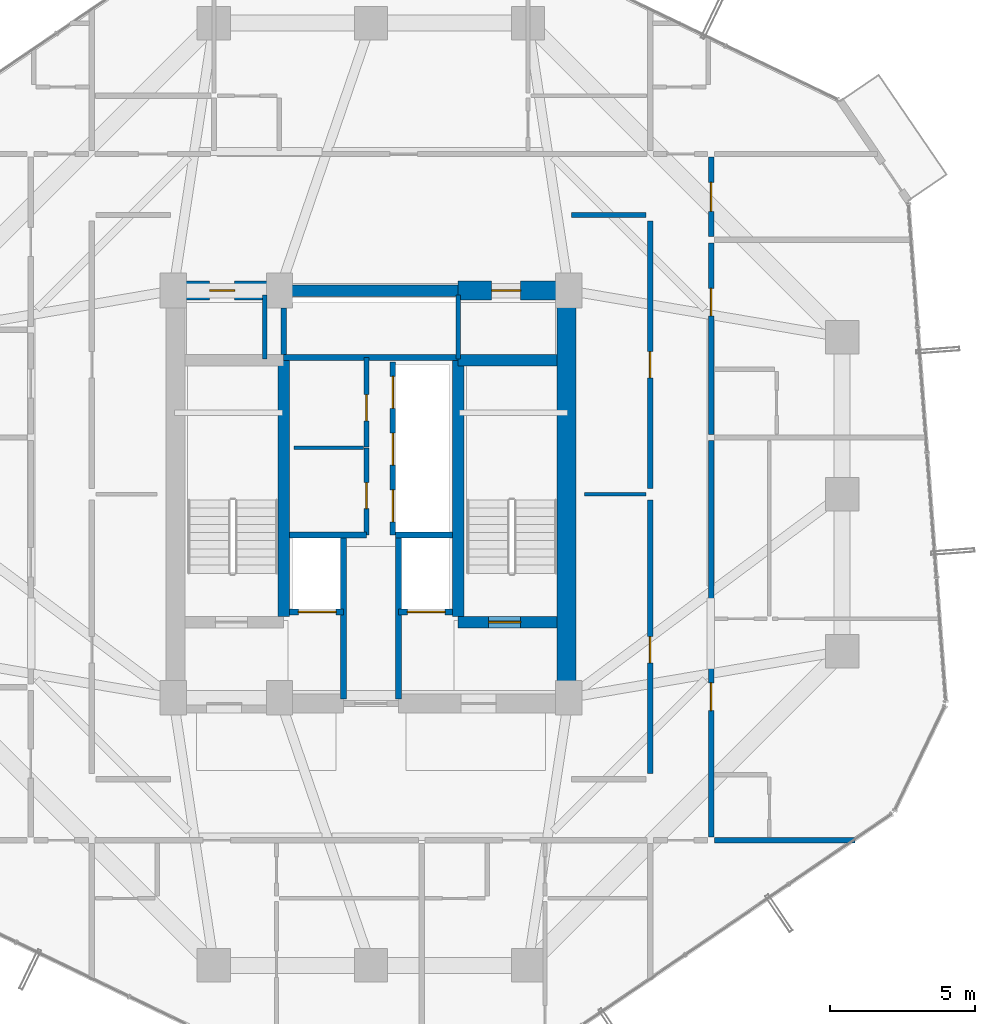
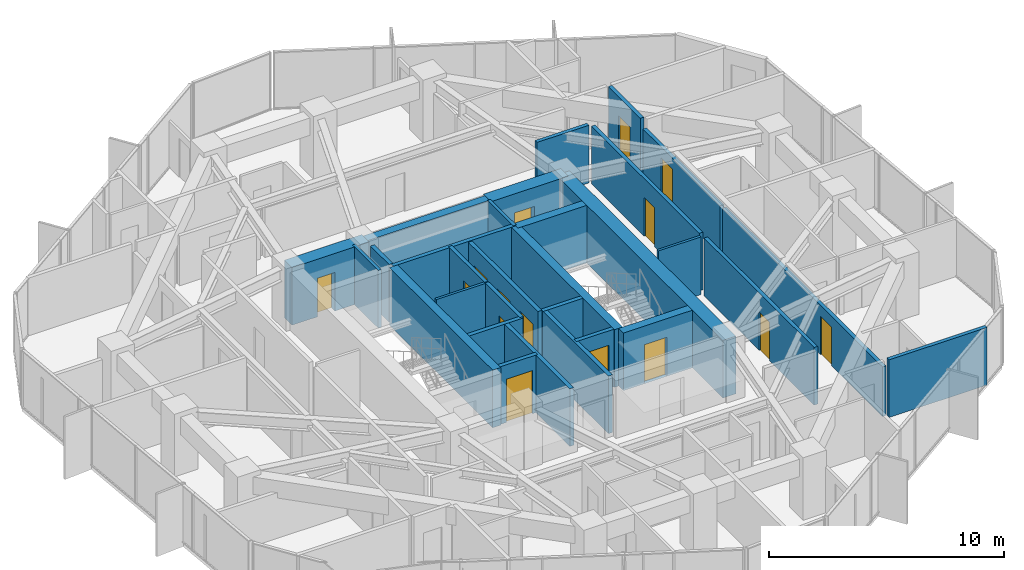
# One storey, part 31 of 35: 30 walls, 15 doors, 15 openings.
"""IFC4 building model written with IfcOpenShell, lengths in metres."""

from ifc_helpers import new_model, si_unit, direction, frame, frame_2d, origin, place, context, subcontext, project, spatial, rectangle, extrude, source, transform, mapped, material, layer, layer_set, type_object, element, fill, save


model = new_model("IFC4")

# Units and contexts
model_context = context("Model", 3, precision=1e-05, world=origin(), true_north=direction((0.0, 1.0)))
body_context = subcontext(model_context, "Body", "Model", "MODEL_VIEW")
ifc_project = project(units=[si_unit("LENGTHUNIT", "METRE"), si_unit("AREAUNIT", "SQUARE_METRE"), si_unit("VOLUMEUNIT", "CUBIC_METRE"), si_unit("PLANEANGLEUNIT", "RADIAN"), si_unit("MASSUNIT", "GRAM", prefix="KILO")], contexts=[model_context])

# Site, building, storey
site_placement = place(None, origin())
site = spatial("IfcSite", under=ifc_project, at=site_placement, CompositionType="ELEMENT")
building_placement = place(site_placement, origin())
building = spatial("IfcBuilding", under=site, at=building_placement, Name="Veraguas Prism Commons", CompositionType="ELEMENT")
storey_placement = place(building_placement, frame((0.0, 0.0, 142.5)))
storey = spatial("IfcBuildingStorey", under=building, at=storey_placement, Name="L40", CompositionType="ELEMENT", Elevation=142.5)

# Wall
ifc_material_1 = material(Name="Concrete C50/60", Category="concrete")
ifc_layer_1 = layer(ifc_material_1, 0.39990234375, Name="Clinic and Mid Core Shear Wall RC 400", Category="concrete")
ifc_layer_set_1 = layer_set([ifc_layer_1], Name="Concrete C50/60")
wall_type_1 = type_object("IfcWallType", Name="Clinic and Mid Core Shear Wall RC 400", PredefinedType="SHEAR", material=ifc_layer_set_1)
wall_1_placement = place(storey_placement, frame((21.0, 31.0, 0.0), z_axis=(0.0, 0.0, 1.0), x_axis=(1.0, 0.0, 0.0)))
element("IfcWall", 1, at=wall_1_placement, inside=storey, type_object=wall_type_1, Name="High-Rise Lift Bank Front Shear Wall L40", PredefinedType="SHEAR", context=body_context, shape_type="SweptSolid", body=[
    extrude(rectangle(XDim=6.0, YDim=0.39990234375, at=frame_2d((3.0, 0.0))), origin(), (0.0, 0.0, 1.0), 3.0),
])

# Wall, opening, door
wall_2_placement = place(storey_placement, frame((27.0, 19.60009765625, 0.0), z_axis=(0.0, 0.0, 1.0), x_axis=(1.0, 0.0, 0.0)))
wall_2 = element("IfcWall", 2, at=wall_2_placement, inside=storey, type_object=wall_type_1, Name="Stair ST-02 South Shear Wall L40", PredefinedType="SHEAR", context=body_context, shape_type="SweptSolid", body=[
    extrude(rectangle(XDim=3.39990234375, YDim=0.39990234375, at=frame_2d((1.699951171875, 0.0))), origin(), (0.0, 0.0, 1.0), 3.0),
])
opening_1_placement = place(wall_2_placement, frame((1.050048828125, 0.0, 0.0)))
opening_1 = element("IfcOpeningElement", 3, at=opening_1_placement, cuts=wall_2, Name="Opening DR-05", PredefinedType="OPENING", context=body_context, shape_type="SweptSolid", body=[
    extrude(rectangle(XDim=1.10009765625, YDim=2.030029296875, at=frame_2d((0.550048828125, 1.01513671875))), frame((0.0, 0.2099609375, 0.0), z_axis=(0.0, -1.0, 0.0), x_axis=(1.0, 0.0, 0.0)), (0.0, 0.0, 1.0), 0.419921875),
])
ifc_material_2 = material(Name="Steel fire-rated door assembly", Category="steel")
door_type_1 = type_object("IfcDoorType", Name="Protected Stair and Refuge Fire Door 1100x2030", OperationType="NOTDEFINED", PredefinedType="DOOR", material=ifc_material_2)
shared_shape_1 = source(origin(), body_context, "Body", "SweptSolid", [
    extrude(rectangle(XDim=1.10009765625, YDim=2.030029296875, at=frame_2d((0.550048828125, 1.01513671875))), frame((0.0, 0.02490234375, 0.0), z_axis=(0.0, -1.0, 0.0), x_axis=(1.0, 0.0, 0.0)), (0.0, 0.0, 1.0), 0.050048828125),
])
door_1_placement = place(opening_1_placement, origin())
door_1 = element("IfcDoor", 4, at=door_1_placement, inside=storey, type_object=door_type_1, Name="Stair ST-02 Enclosure Door L40", OperationType="SINGLE_SWING_LEFT", OverallHeight=2.030029296875, OverallWidth=1.10009765625, PredefinedType="DOOR", context=body_context, shape_type="MappedRepresentation", body=[
    mapped(shared_shape_1, transform((0.0, 0.0, 0.0), scale=1.0)),
])
fill(opening_1, door_1)

# Walls
for number, where, z_axis, x_axis, name in (
    (5, (21.0, 19.800048828125, 0.0), (0.0, 0.0, 1.0), (0.0, 1.0, 0.0), "Stair ST-01 Inner Shear Wall L40"),
    (6, (27.0, 19.800048828125, 0.0), (0.0, 0.0, 1.0), (0.0, 1.0, 0.0), "Stair ST-02 Inner Shear Wall L40"),
):
    element("IfcWall", number, at=place(storey_placement, frame(where, z_axis=z_axis, x_axis=x_axis)), inside=storey, type_object=wall_type_1, Name=name, PredefinedType="SHEAR", context=body_context, shape_type="SweptSolid", body=[
        extrude(rectangle(XDim=8.800048828125, YDim=0.39990234375, at=frame_2d((4.39990234375, 0.0))), origin(), (0.0, 0.0, 1.0), 3.0),
    ])
wall_3_placement = place(storey_placement, frame((27.0, 28.60009765625, 0.0), z_axis=(0.0, 0.0, 1.0), x_axis=(1.0, 0.0, 0.0)))
element("IfcWall", 7, at=wall_3_placement, inside=storey, type_object=wall_type_1, Name="Stair ST-02 North Shear Wall L40", PredefinedType="SHEAR", context=body_context, shape_type="SweptSolid", body=[
    extrude(rectangle(XDim=3.39990234375, YDim=0.39990234375, at=frame_2d((1.699951171875, 0.0))), origin(), (0.0, 0.0, 1.0), 3.0),
])
ifc_material_3 = material(Name="Concrete C55/67", Category="concrete")
ifc_layer_2 = layer(ifc_material_3, 0.64990234375, Name="Core Outer Shear Wall Mid RC 650", Category="concrete")
ifc_layer_set_2 = layer_set([ifc_layer_2], Name="Concrete C55/67")
wall_type_2 = type_object("IfcWallType", Name="Core Outer Shear Wall Mid RC 650", PredefinedType="SHEAR", material=ifc_layer_set_2)
wall_4_placement = place(storey_placement, frame((30.72509765625, 16.800048828125, 0.0), z_axis=(0.0, 0.0, 1.0), x_axis=(0.0, 1.0, 0.0)))
element("IfcWall", 8, at=wall_4_placement, inside=storey, type_object=wall_type_2, Name="Central Core East Shear Wall L40", PredefinedType="SHEAR", context=body_context, shape_type="SweptSolid", body=[
    extrude(rectangle(XDim=14.199951171875, YDim=0.64990234375, at=frame_2d((7.10009765625, 0.0))), origin(), (0.0, 0.0, 1.0), 3.0),
])

# Wall, opening, door
wall_5_placement = place(storey_placement, frame((17.199951171875, 31.0, 0.0), z_axis=(0.0, 0.0, 1.0), x_axis=(1.0, 0.0, 0.0)))
wall_5 = element("IfcWall", 9, at=wall_5_placement, inside=storey, type_object=wall_type_2, Name="Central Core North-West Shear Wall L40", PredefinedType="SHEAR", context=body_context, shape_type="SweptSolid", body=[
    extrude(rectangle(XDim=3.800048828125, YDim=0.64990234375, at=frame_2d((1.89990234375, 0.0))), origin(), (0.0, 0.0, 1.0), 3.0),
])
opening_2_placement = place(wall_5_placement, frame((1.25, 0.0, 0.0)))
opening_2 = element("IfcOpeningElement", 10, at=opening_2_placement, cuts=wall_5, Name="Opening DR-12", PredefinedType="OPENING", context=body_context, shape_type="SweptSolid", body=[
    extrude(rectangle(XDim=0.860107421875, YDim=2.010009765625, at=frame_2d((0.43017578125, 1.0048828125))), frame((0.0, 0.3349609375, 0.0), z_axis=(0.0, -1.0, 0.0), x_axis=(1.0, 0.0, 0.0)), (0.0, 0.0, 1.0), 0.669921875),
])
door_type_2 = type_object("IfcDoorType", Name="Core WC Fire Door 860x2010", OperationType="NOTDEFINED", PredefinedType="DOOR", material=ifc_material_2)
shared_shape_2 = source(origin(), body_context, "Body", "SweptSolid", [
    extrude(rectangle(XDim=0.860107421875, YDim=2.010009765625, at=frame_2d((0.43017578125, 1.0048828125))), frame((0.0, 0.02490234375, 0.0), z_axis=(0.0, -1.0, 0.0), x_axis=(1.0, 0.0, 0.0)), (0.0, 0.0, 1.0), 0.050048828125),
])
door_2_placement = place(opening_2_placement, origin())
door_2 = element("IfcDoor", 11, at=door_2_placement, inside=storey, type_object=door_type_2, Name="Core NW Service Door L40", OperationType="SINGLE_SWING_RIGHT", OverallHeight=2.010009765625, OverallWidth=0.860107421875, PredefinedType="DOOR", context=body_context, shape_type="MappedRepresentation", body=[
    mapped(shared_shape_2, transform((0.0, 0.0, 0.0), scale=1.0)),
])
fill(opening_2, door_2)

wall_6_placement = place(storey_placement, frame((27.0, 31.0, 0.0), z_axis=(0.0, 0.0, 1.0), x_axis=(1.0, 0.0, 0.0)))
wall_6 = element("IfcWall", 12, at=wall_6_placement, inside=storey, type_object=wall_type_2, Name="Central Core North-East Shear Wall L40", PredefinedType="SHEAR", context=body_context, shape_type="SweptSolid", body=[
    extrude(rectangle(XDim=3.800048828125, YDim=0.64990234375, at=frame_2d((1.89990234375, 0.0))), origin(), (0.0, 0.0, 1.0), 3.0),
])
opening_3_placement = place(wall_6_placement, frame((1.14990234375, 0.0, 0.0)))
opening_3 = element("IfcOpeningElement", 13, at=opening_3_placement, cuts=wall_6, Name="Opening DR-13", PredefinedType="OPENING", context=body_context, shape_type="SweptSolid", body=[
    extrude(rectangle(XDim=1.0, YDim=2.010009765625, at=frame_2d((0.5, 1.0048828125))), frame((0.0, 0.3349609375, 0.0), z_axis=(0.0, -1.0, 0.0), x_axis=(1.0, 0.0, 0.0)), (0.0, 0.0, 1.0), 0.669921875),
])
door_type_3 = type_object("IfcDoorType", Name="Core Accessible WC and Clinic Fire Door 1000x2010", OperationType="NOTDEFINED", PredefinedType="DOOR", material=ifc_material_2)
shared_shape_3 = source(origin(), body_context, "Body", "SweptSolid", [
    extrude(rectangle(XDim=1.0, YDim=2.010009765625, at=frame_2d((0.5, 1.0048828125))), frame((0.0, 0.02490234375, 0.0), z_axis=(0.0, -1.0, 0.0), x_axis=(1.0, 0.0, 0.0)), (0.0, 0.0, 1.0), 0.050048828125),
])
door_3_placement = place(opening_3_placement, origin())
door_3 = element("IfcDoor", 14, at=door_3_placement, inside=storey, type_object=door_type_3, Name="Core NE Pantry Door L40", OperationType="SINGLE_SWING_LEFT", OverallHeight=2.010009765625, OverallWidth=1.0, PredefinedType="DOOR", context=body_context, shape_type="MappedRepresentation", body=[
    mapped(shared_shape_3, transform((0.0, 0.0, 0.0), scale=1.0)),
])
fill(opening_3, door_3)

ifc_material_4 = material(Name="Autoclaved aerated masonry block 10 MPa", Category="masonry")
ifc_layer_3 = layer(ifc_material_4, 0.179931640625, Name="Corridor and Inter-Tenancy Partition 180", Category="masonry")
ifc_layer_set_3 = layer_set([ifc_layer_3], Name="Autoclaved aerated masonry block 10 MPa")
wall_type_3 = type_object("IfcWallType", Name="Corridor and Inter-Tenancy Partition 180", PredefinedType="PARTITIONING", material=ifc_layer_set_3)
wall_7_placement = place(storey_placement, frame((23.85009765625, 22.60009765625, 0.0), z_axis=(0.0, 0.0, 1.0), x_axis=(0.0, 1.0, 0.0)))
wall_7 = element("IfcWall", 15, at=wall_7_placement, inside=storey, type_object=wall_type_3, Name="Co-op Pantry Partition L40", PredefinedType="PARTITIONING", context=body_context, shape_type="SweptSolid", body=[
    extrude(rectangle(XDim=2.97998046875, YDim=0.179931640625, at=frame_2d((1.489990234375, 0.0))), origin(), (0.0, 0.0, 1.0), 3.0),
])
opening_4_placement = place(wall_7_placement, frame((0.89990234375, 0.0, 0.0)))
opening_4 = element("IfcOpeningElement", 16, at=opening_4_placement, cuts=wall_7, Name="Opening DR-14", PredefinedType="OPENING", context=body_context, shape_type="SweptSolid", body=[
    extrude(rectangle(XDim=0.89990234375, YDim=2.010009765625, at=frame_2d((0.449951171875, 1.0048828125))), frame((0.0, 0.099853515625, 0.0), z_axis=(0.0, -1.0, 0.0), x_axis=(1.0, 0.0, 0.0)), (0.0, 0.0, 1.0), 0.199951171875),
])
door_type_4 = type_object("IfcDoorType", Name="Core Service Room Fire Door 900x2010", OperationType="NOTDEFINED", PredefinedType="DOOR", material=ifc_material_2)
shared_shape_4 = source(origin(), body_context, "Body", "SweptSolid", [
    extrude(rectangle(XDim=0.89990234375, YDim=2.010009765625, at=frame_2d((0.449951171875, 1.0048828125))), frame((0.0, 0.02490234375, 0.0), z_axis=(0.0, -1.0, 0.0), x_axis=(1.0, 0.0, 0.0)), (0.0, 0.0, 1.0), 0.050048828125),
])
door_4_placement = place(opening_4_placement, origin())
door_4 = element("IfcDoor", 17, at=door_4_placement, inside=storey, type_object=door_type_4, Name="Co-op Pantry Door L40", OperationType="SINGLE_SWING_RIGHT", OverallHeight=2.010009765625, OverallWidth=0.89990234375, PredefinedType="DOOR", context=body_context, shape_type="MappedRepresentation", body=[
    mapped(shared_shape_4, transform((0.0, 0.0, 0.0), scale=1.0)),
])
fill(opening_4, door_4)

wall_8_placement = place(storey_placement, frame((23.85009765625, 25.6201171875, 0.0), z_axis=(0.0, 0.0, 1.0), x_axis=(0.0, 1.0, 0.0)))
wall_8 = element("IfcWall", 18, at=wall_8_placement, inside=storey, type_object=wall_type_3, Name="Bookshop Alcove Partition L40", PredefinedType="PARTITIONING", context=body_context, shape_type="SweptSolid", body=[
    extrude(rectangle(XDim=3.079833984375, YDim=0.179931640625, at=frame_2d((1.5400390625, 0.0))), origin(), (0.0, 0.0, 1.0), 3.0),
])
opening_5_placement = place(wall_8_placement, frame((0.89990234375, 0.0, 0.0)))
opening_5 = element("IfcOpeningElement", 19, at=opening_5_placement, cuts=wall_8, Name="Opening DR-14", PredefinedType="OPENING", context=body_context, shape_type="SweptSolid", body=[
    extrude(rectangle(XDim=0.89990234375, YDim=2.010009765625, at=frame_2d((0.449951171875, 1.0048828125))), frame((0.0, 0.099853515625, 0.0), z_axis=(0.0, -1.0, 0.0), x_axis=(1.0, 0.0, 0.0)), (0.0, 0.0, 1.0), 0.199951171875),
])
door_5_placement = place(opening_5_placement, origin())
door_5 = element("IfcDoor", 20, at=door_5_placement, inside=storey, type_object=door_type_4, Name="Bookshop Alcove Door L40", OperationType="SINGLE_SWING_LEFT", OverallHeight=2.010009765625, OverallWidth=0.89990234375, PredefinedType="DOOR", context=body_context, shape_type="MappedRepresentation", body=[
    mapped(shared_shape_4, transform((0.0, 0.0, 0.0), scale=1.0)),
])
fill(opening_5, door_5)

wall_9_placement = place(storey_placement, frame((33.60009765625, 14.39990234375, 0.0), z_axis=(0.0, 0.0, 1.0), x_axis=(0.0, 1.0, 0.0)))
wall_9 = element("IfcWall", 21, at=wall_9_placement, inside=storey, type_object=wall_type_3, Name="WL-L40-IRE1", PredefinedType="PARTITIONING", context=body_context, shape_type="SweptSolid", body=[
    extrude(rectangle(XDim=9.400146484375, YDim=0.179931640625, at=frame_2d((4.7001953125, 0.0))), origin(), (0.0, 0.0, 1.0), 3.0),
])
opening_6_placement = place(wall_9_placement, frame((3.800048828125, 0.0, 0.0)))
opening_6 = element("IfcOpeningElement", 22, at=opening_6_placement, cuts=wall_9, Name="Opening DR-14", PredefinedType="OPENING", context=body_context, shape_type="SweptSolid", body=[
    extrude(rectangle(XDim=0.89990234375, YDim=2.010009765625, at=frame_2d((0.449951171875, 1.0048828125))), frame((0.0, 0.099853515625, 0.0), z_axis=(0.0, -1.0, 0.0), x_axis=(1.0, 0.0, 0.0)), (0.0, 0.0, 1.0), 0.199951171875),
])
door_6_placement = place(opening_6_placement, origin())
door_6 = element("IfcDoor", 23, at=door_6_placement, inside=storey, type_object=door_type_4, Name="Shared Laundry Annex Door L40", OperationType="SINGLE_SWING_RIGHT", OverallHeight=2.010009765625, OverallWidth=0.89990234375, PredefinedType="DOOR", context=body_context, shape_type="MappedRepresentation", body=[
    mapped(shared_shape_4, transform((0.0, 0.0, 0.0), scale=1.0)),
])
fill(opening_6, door_6)

wall_10_placement = place(storey_placement, frame((33.60009765625, 24.199951171875, 0.0), z_axis=(0.0, 0.0, 1.0), x_axis=(0.0, 1.0, 0.0)))
wall_10 = element("IfcWall", 24, at=wall_10_placement, inside=storey, type_object=wall_type_3, Name="WL-L40-IRE2", PredefinedType="PARTITIONING", context=body_context, shape_type="SweptSolid", body=[
    extrude(rectangle(XDim=9.199951171875, YDim=0.179931640625, at=frame_2d((4.60009765625, 0.0))), origin(), (0.0, 0.0, 1.0), 3.0),
])
opening_7_placement = place(wall_10_placement, frame((3.800048828125, 0.0, 0.0)))
opening_7 = element("IfcOpeningElement", 25, at=opening_7_placement, cuts=wall_10, Name="Opening DR-14", PredefinedType="OPENING", context=body_context, shape_type="SweptSolid", body=[
    extrude(rectangle(XDim=0.89990234375, YDim=2.010009765625, at=frame_2d((0.449951171875, 1.0048828125))), frame((0.0, 0.099853515625, 0.0), z_axis=(0.0, -1.0, 0.0), x_axis=(1.0, 0.0, 0.0)), (0.0, 0.0, 1.0), 0.199951171875),
])
door_7_placement = place(opening_7_placement, origin())
door_7 = element("IfcDoor", 26, at=door_7_placement, inside=storey, type_object=door_type_4, Name="Community Reading Alcove Door L40", OperationType="SINGLE_SWING_LEFT", OverallHeight=2.010009765625, OverallWidth=0.89990234375, PredefinedType="DOOR", context=body_context, shape_type="MappedRepresentation", body=[
    mapped(shared_shape_4, transform((0.0, 0.0, 0.0), scale=1.0)),
])
fill(opening_7, door_7)

# Walls
wall_11_placement = place(storey_placement, frame((30.89990234375, 33.60009765625, 0.0), z_axis=(0.0, 0.0, 1.0), x_axis=(1.0, 0.0, 0.0)))
element("IfcWall", 27, at=wall_11_placement, inside=storey, type_object=wall_type_3, Name="WL-L40-IREN", PredefinedType="PARTITIONING", context=body_context, shape_type="SweptSolid", body=[
    extrude(rectangle(XDim=2.550048828125, YDim=0.179931640625, at=frame_2d((1.27490234375, 0.0))), origin(), (0.0, 0.0, 1.0), 3.0),
])
wall_12_placement = place(storey_placement, frame((35.820068359375, 12.10009765625, 0.0), z_axis=(0.0, 0.0, 1.0), x_axis=(1.0, 0.0, 0.0)))
element("IfcWall", 28, at=wall_12_placement, inside=storey, type_object=wall_type_3, Name="WL-L40-PT037", PredefinedType="PARTITIONING", context=body_context, shape_type="SweptSolid", body=[
    extrude(rectangle(XDim=4.82861328125, YDim=0.179931640625, at=frame_2d((2.414306640625, 0.0))), origin(), (0.0, 0.0, 1.0), 3.0),
])

# Wall, opening, door
wall_13_placement = place(storey_placement, frame((35.699951171875, 12.2099609375, 0.0), z_axis=(0.0, 0.0, 1.0), x_axis=(0.0, 1.0, 0.0)))
wall_13 = element("IfcWall", 29, at=wall_13_placement, inside=storey, type_object=wall_type_3, Name="WL-L40-PT039", PredefinedType="PARTITIONING", context=body_context, shape_type="SweptSolid", body=[
    extrude(rectangle(XDim=13.6279296875, YDim=0.179931640625, at=frame_2d((6.81396484375, 0.0))), origin(), (0.0, 0.0, 1.0), 2.580078125),
])
opening_8_placement = place(wall_13_placement, frame((4.347900390625, 0.0, 0.0)))
opening_8 = element("IfcOpeningElement", 30, at=opening_8_placement, cuts=wall_13, Name="Opening DR-01", PredefinedType="OPENING", context=body_context, shape_type="SweptSolid", body=[
    extrude(rectangle(XDim=0.949951171875, YDim=2.02001953125, at=frame_2d((0.47509765625, 1.010009765625))), frame((0.0, 0.099853515625, 0.0), z_axis=(0.0, -1.0, 0.0), x_axis=(1.0, 0.0, 0.0)), (0.0, 0.0, 1.0), 0.199951171875),
])
ifc_material_5 = material(Name="Anodised aluminium EN AW-6063 T6", Category="aluminium")
door_type_5 = type_object("IfcDoorType", Name="Apartment Entrance Fire Door 950x2020", OperationType="NOTDEFINED", PredefinedType="DOOR", material=ifc_material_5)
shared_shape_5 = source(origin(), body_context, "Body", "SweptSolid", [
    extrude(rectangle(XDim=0.949951171875, YDim=2.02001953125, at=frame_2d((0.47509765625, 1.010009765625))), frame((0.0, 0.02490234375, 0.0), z_axis=(0.0, -1.0, 0.0), x_axis=(1.0, 0.0, 0.0)), (0.0, 0.0, 1.0), 0.050048828125),
])
door_8_placement = place(opening_8_placement, origin())
door_8 = element("IfcDoor", 31, at=door_8_placement, inside=storey, type_object=door_type_5, Name="Flat 40D Entrance Door", OperationType="SINGLE_SWING_RIGHT", OverallHeight=2.02001953125, OverallWidth=0.949951171875, PredefinedType="DOOR", context=body_context, shape_type="MappedRepresentation", body=[
    mapped(shared_shape_5, transform((0.0, 0.0, 0.0), scale=1.0)),
])
fill(opening_8, door_8)

wall_14_placement = place(storey_placement, frame((35.699951171875, 32.860107421875, 0.0), z_axis=(0.0, 0.0, 1.0), x_axis=(0.0, 1.0, 0.0)))
wall_14 = element("IfcWall", 32, at=wall_14_placement, inside=storey, type_object=wall_type_3, Name="WL-L40-PT046", PredefinedType="PARTITIONING", context=body_context, shape_type="SweptSolid", body=[
    extrude(rectangle(XDim=2.72998046875, YDim=0.179931640625, at=frame_2d((1.364990234375, 0.0))), origin(), (0.0, 0.0, 1.0), 3.0),
])
opening_9_placement = place(wall_14_placement, frame((0.864990234375, 0.0, 0.0)))
opening_9 = element("IfcOpeningElement", 33, at=opening_9_placement, cuts=wall_14, Name="Opening DR-13", PredefinedType="OPENING", context=body_context, shape_type="SweptSolid", body=[
    extrude(rectangle(XDim=1.0, YDim=2.010009765625, at=frame_2d((0.5, 1.0048828125))), frame((0.0, 0.099853515625, 0.0), z_axis=(0.0, -1.0, 0.0), x_axis=(1.0, 0.0, 0.0)), (0.0, 0.0, 1.0), 0.199951171875),
])
door_9_placement = place(opening_9_placement, origin())
door_9 = element("IfcDoor", 34, at=door_9_placement, inside=storey, type_object=door_type_3, Name="Quiet Study E Door", OperationType="SINGLE_SWING_RIGHT", OverallHeight=2.010009765625, OverallWidth=1.0, PredefinedType="DOOR", context=body_context, shape_type="MappedRepresentation", body=[
    mapped(shared_shape_3, transform((0.0, 0.0, 0.0), scale=1.0)),
])
fill(opening_9, door_9)

wall_15_placement = place(storey_placement, frame((35.699951171875, 26.05810546875, 0.0), z_axis=(0.0, 0.0, 1.0), x_axis=(0.0, 1.0, 0.0)))
wall_15 = element("IfcWall", 35, at=wall_15_placement, inside=storey, type_object=wall_type_3, Name="WL-L40-PT048", PredefinedType="PARTITIONING", context=body_context, shape_type="SweptSolid", body=[
    extrude(rectangle(XDim=6.581787109375, YDim=0.179931640625, at=frame_2d((3.291015625, 0.0))), origin(), (0.0, 0.0, 1.0), 2.580078125),
])
opening_10_placement = place(wall_15_placement, frame((4.07177734375, 0.0, 0.0)))
opening_10 = element("IfcOpeningElement", 36, at=opening_10_placement, cuts=wall_15, Name="Opening DR-01", PredefinedType="OPENING", context=body_context, shape_type="SweptSolid", body=[
    extrude(rectangle(XDim=0.949951171875, YDim=2.02001953125, at=frame_2d((0.47509765625, 1.010009765625))), frame((0.0, 0.099853515625, 0.0), z_axis=(0.0, -1.0, 0.0), x_axis=(1.0, 0.0, 0.0)), (0.0, 0.0, 1.0), 0.199951171875),
])
door_10_placement = place(opening_10_placement, origin())
door_10 = element("IfcDoor", 37, at=door_10_placement, inside=storey, type_object=door_type_5, Name="Studio 40E Entrance Door", OperationType="SINGLE_SWING_LEFT", OverallHeight=2.02001953125, OverallWidth=0.949951171875, PredefinedType="DOOR", context=body_context, shape_type="MappedRepresentation", body=[
    mapped(shared_shape_5, transform((0.0, 0.0, 0.0), scale=1.0)),
])
fill(opening_10, door_10)

# Walls
ifc_material_6 = material(Name="Lightweight acoustic gypsum board")
ifc_layer_4 = layer(ifc_material_6, 0.125, Name="Internal Apartment Room Partition 125")
ifc_layer_set_4 = layer_set([ifc_layer_4], Name="Lightweight acoustic gypsum board")
wall_type_4 = type_object("IfcWallType", Name="Internal Apartment Room Partition 125", PredefinedType="PARTITIONING", material=ifc_layer_set_4)
wall_16_placement = place(storey_placement, frame((21.35009765625, 25.60009765625, 0.0), z_axis=(0.0, 0.0, 1.0), x_axis=(1.0, 0.0, 0.0)))
element("IfcWall", 38, at=wall_16_placement, inside=storey, type_object=wall_type_4, Name="WL-L40-FRWLM", PredefinedType="PARTITIONING", context=body_context, shape_type="SweptSolid", body=[
    extrude(rectangle(XDim=2.39990234375, YDim=0.125, at=frame_2d((1.199951171875, 0.0))), origin(), (0.0, 0.0, 1.0), 3.0),
])
wall_17_placement = place(storey_placement, frame((31.35009765625, 24.0, 0.0), z_axis=(0.0, 0.0, 1.0), x_axis=(1.0, 0.0, 0.0)))
element("IfcWall", 39, at=wall_17_placement, inside=storey, type_object=wall_type_4, Name="WL-L40-IREM", PredefinedType="PARTITIONING", context=body_context, shape_type="SweptSolid", body=[
    extrude(rectangle(XDim=2.099853515625, YDim=0.125, at=frame_2d((1.0498046875, 0.0))), origin(), (0.0, 0.0, 1.0), 3.0),
])

# Wall, opening, door
ifc_layer_5 = layer(ifc_material_4, 0.199951171875, Name="Rated Shaft and Lobby Block Wall 200", Category="masonry")
ifc_layer_set_5 = layer_set([ifc_layer_5], Name="Autoclaved aerated masonry block 10 MPa")
wall_type_5 = type_object("IfcWallType", Name="Rated Shaft and Lobby Block Wall 200", PredefinedType="SOLIDWALL", material=ifc_layer_set_5)
wall_18_placement = place(storey_placement, frame((21.199951171875, 19.949951171875, 0.0), z_axis=(0.0, 0.0, 1.0), x_axis=(1.0, 0.0, 0.0)))
wall_18 = element("IfcWall", 40, at=wall_18_placement, inside=storey, type_object=wall_type_5, Name="Firefighting Lift FFL-1 Front Wall L40", PredefinedType="SOLIDWALL", context=body_context, shape_type="SweptSolid", body=[
    extrude(rectangle(XDim=1.85009765625, YDim=0.199951171875, at=frame_2d((0.925048828125, 0.0))), origin(), (0.0, 0.0, 1.0), 3.0),
])
opening_11_placement = place(wall_18_placement, frame((0.300048828125, 0.0, 0.0)))
opening_11 = element("IfcOpeningElement", 41, at=opening_11_placement, cuts=wall_18, Name="Opening LD-02", PredefinedType="OPENING", context=body_context, shape_type="SweptSolid", body=[
    extrude(rectangle(XDim=1.300048828125, YDim=2.25, at=frame_2d((0.64990234375, 1.125))), frame((0.0, 0.10986328125, 0.0), z_axis=(0.0, -1.0, 0.0), x_axis=(1.0, 0.0, 0.0)), (0.0, 0.0, 1.0), 0.219970703125),
])
ifc_material_7 = material(Name="Stainless steel AISI 316", Category="steel")
door_type_6 = type_object("IfcDoorType", Name="Firefighting Lift Sliding Landing Door 1300x2250", OperationType="NOTDEFINED", PredefinedType="DOOR", material=ifc_material_7)
shared_shape_6 = source(origin(), body_context, "Body", "SweptSolid", [
    extrude(rectangle(XDim=1.300048828125, YDim=2.25, at=frame_2d((0.64990234375, 1.125))), frame((0.0, 0.02490234375, 0.0), z_axis=(0.0, -1.0, 0.0), x_axis=(1.0, 0.0, 0.0)), (0.0, 0.0, 1.0), 0.050048828125),
])
door_11_placement = place(opening_11_placement, origin())
door_11 = element("IfcDoor", 42, at=door_11_placement, inside=storey, type_object=door_type_6, Name="Firefighting Lift FFL-1 Landing Door L40", OperationType="SLIDING_TO_LEFT", OverallHeight=2.25, OverallWidth=1.300048828125, PredefinedType="DOOR", context=body_context, shape_type="MappedRepresentation", body=[
    mapped(shared_shape_6, transform((0.0, 0.0, 0.0), scale=1.0)),
])
fill(opening_11, door_11)

wall_19_placement = place(storey_placement, frame((24.949951171875, 19.949951171875, 0.0), z_axis=(0.0, 0.0, 1.0), x_axis=(1.0, 0.0, 0.0)))
wall_19 = element("IfcWall", 43, at=wall_19_placement, inside=storey, type_object=wall_type_5, Name="Firefighting Lift FFL-2 Front Wall L40", PredefinedType="SOLIDWALL", context=body_context, shape_type="SweptSolid", body=[
    extrude(rectangle(XDim=1.85009765625, YDim=0.199951171875, at=frame_2d((0.925048828125, 0.0))), origin(), (0.0, 0.0, 1.0), 3.0),
])
opening_12_placement = place(wall_19_placement, frame((0.300048828125, 0.0, 0.0)))
opening_12 = element("IfcOpeningElement", 44, at=opening_12_placement, cuts=wall_19, Name="Opening LD-02", PredefinedType="OPENING", context=body_context, shape_type="SweptSolid", body=[
    extrude(rectangle(XDim=1.300048828125, YDim=2.25, at=frame_2d((0.64990234375, 1.125))), frame((0.0, 0.10986328125, 0.0), z_axis=(0.0, -1.0, 0.0), x_axis=(1.0, 0.0, 0.0)), (0.0, 0.0, 1.0), 0.219970703125),
])
door_12_placement = place(opening_12_placement, origin())
door_12 = element("IfcDoor", 45, at=door_12_placement, inside=storey, type_object=door_type_6, Name="Firefighting Lift FFL-2 Front Wall L40", OperationType="SLIDING_TO_LEFT", OverallHeight=2.25, OverallWidth=1.300048828125, PredefinedType="DOOR", context=body_context, shape_type="MappedRepresentation", body=[
    mapped(shared_shape_6, transform((0.0, 0.0, 0.0), scale=1.0)),
])
fill(opening_12, door_12)

# Walls
for number, where, z_axis, x_axis, name in (
    (46, (23.050048828125, 16.949951171875, 0.0), (0.0, 0.0, 1.0), (0.0, 1.0, 0.0), "West FF Lobby Divider Wall L40"),
    (47, (24.949951171875, 16.949951171875, 0.0), (0.0, 0.0, 1.0), (0.0, 1.0, 0.0), "East FF Lobby Divider Wall L40"),
):
    element("IfcWall", number, at=place(storey_placement, frame(where, z_axis=z_axis, x_axis=x_axis)), inside=storey, type_object=wall_type_5, Name=name, PredefinedType="SOLIDWALL", context=body_context, shape_type="SweptSolid", body=[
        extrude(rectangle(XDim=5.60009765625, YDim=0.199951171875, at=frame_2d((2.800048828125, 0.0))), origin(), (0.0, 0.0, 1.0), 3.0),
    ])
wall_20_placement = place(storey_placement, frame((21.199951171875, 22.60009765625, 0.0), z_axis=(0.0, 0.0, 1.0), x_axis=(1.0, 0.0, 0.0)))
element("IfcWall", 48, at=wall_20_placement, inside=storey, type_object=wall_type_5, Name="Firefighting Lift FFL-1 Rear Wall L40", PredefinedType="SOLIDWALL", context=body_context, shape_type="SweptSolid", body=[
    extrude(rectangle(XDim=2.650146484375, YDim=0.199951171875, at=frame_2d((1.3251953125, 0.0))), origin(), (0.0, 0.0, 1.0), 3.0),
])
wall_21_placement = place(storey_placement, frame((24.85009765625, 22.60009765625, 0.0), z_axis=(0.0, 0.0, 1.0), x_axis=(1.0, 0.0, 0.0)))
element("IfcWall", 49, at=wall_21_placement, inside=storey, type_object=wall_type_5, Name="Firefighting Lift FFL-2 Rear Wall L40", PredefinedType="SOLIDWALL", context=body_context, shape_type="SweptSolid", body=[
    extrude(rectangle(XDim=1.949951171875, YDim=0.199951171875, at=frame_2d((0.97509765625, 0.0))), origin(), (0.0, 0.0, 1.0), 3.0),
])
wall_22_placement = place(storey_placement, frame((21.0, 28.699951171875, 0.0), z_axis=(0.0, 0.0, 1.0), x_axis=(1.0, 0.0, 0.0)))
element("IfcWall", 50, at=wall_22_placement, inside=storey, type_object=wall_type_5, Name="High-Rise Lift Bank Rear Shaft Wall L40", PredefinedType="SOLIDWALL", context=body_context, shape_type="SweptSolid", body=[
    extrude(rectangle(XDim=6.0, YDim=0.199951171875, at=frame_2d((3.0, 0.0))), origin(), (0.0, 0.0, 1.0), 3.0),
])
wall_23_placement = place(storey_placement, frame((21.0, 28.800048828125, 0.0), z_axis=(0.0, 0.0, 1.0), x_axis=(0.0, 1.0, 0.0)))
element("IfcWall", 51, at=wall_23_placement, inside=storey, type_object=wall_type_5, Name="High-Rise Lift Bank West Shaft Wall L40", PredefinedType="SOLIDWALL", context=body_context, shape_type="SweptSolid", body=[
    extrude(rectangle(XDim=1.599853515625, YDim=0.199951171875, at=frame_2d((0.7998046875, 0.0))), origin(), (0.0, 0.0, 1.0), 3.0),
])

# Wall, openings, doors
wall_24_placement = place(storey_placement, frame((24.75, 22.60009765625, 0.0), z_axis=(0.0, 0.0, 1.0), x_axis=(0.0, 1.0, 0.0)))
wall_24 = element("IfcWall", 52, at=wall_24_placement, inside=storey, type_object=wall_type_5, Name="Mid-Rise Lift Bank Front Wall L40", PredefinedType="SOLIDWALL", context=body_context, shape_type="SweptSolid", body=[
    extrude(rectangle(XDim=5.949951171875, YDim=0.199951171875, at=frame_2d((2.97509765625, 0.0))), origin(), (0.0, 0.0, 1.0), 3.0),
])
opening_13_placement = place(wall_24_placement, frame((0.449951171875, 0.0, 0.0)))
opening_13 = element("IfcOpeningElement", 53, at=opening_13_placement, cuts=wall_24, Name="Opening LD-01", PredefinedType="OPENING", context=body_context, shape_type="SweptSolid", body=[
    extrude(rectangle(XDim=1.10009765625, YDim=2.080078125, at=frame_2d((0.550048828125, 1.0400390625))), frame((0.0, 0.10986328125, 0.0), z_axis=(0.0, -1.0, 0.0), x_axis=(1.0, 0.0, 0.0)), (0.0, 0.0, 1.0), 0.219970703125),
])
opening_14_placement = place(wall_24_placement, frame((2.39990234375, 0.0, 0.0)))
opening_14 = element("IfcOpeningElement", 54, at=opening_14_placement, cuts=wall_24, Name="Opening LD-01", PredefinedType="OPENING", context=body_context, shape_type="SweptSolid", body=[
    extrude(rectangle(XDim=1.10009765625, YDim=2.080078125, at=frame_2d((0.550048828125, 1.0400390625))), frame((0.0, 0.10986328125, 0.0), z_axis=(0.0, -1.0, 0.0), x_axis=(1.0, 0.0, 0.0)), (0.0, 0.0, 1.0), 0.219970703125),
])
opening_15_placement = place(wall_24_placement, frame((4.35009765625, 0.0, 0.0)))
opening_15 = element("IfcOpeningElement", 55, at=opening_15_placement, cuts=wall_24, Name="Opening LD-01", PredefinedType="OPENING", context=body_context, shape_type="SweptSolid", body=[
    extrude(rectangle(XDim=1.10009765625, YDim=2.080078125, at=frame_2d((0.550048828125, 1.0400390625))), frame((0.0, 0.10986328125, 0.0), z_axis=(0.0, -1.0, 0.0), x_axis=(1.0, 0.0, 0.0)), (0.0, 0.0, 1.0), 0.219970703125),
])
door_type_7 = type_object("IfcDoorType", Name="Passenger Lift Sliding Landing Door 1100x2080", OperationType="NOTDEFINED", PredefinedType="DOOR", material=ifc_material_7)
shared_shape_7 = source(origin(), body_context, "Body", "SweptSolid", [
    extrude(rectangle(XDim=1.10009765625, YDim=2.080078125, at=frame_2d((0.550048828125, 1.0400390625))), frame((0.0, 0.02490234375, 0.0), z_axis=(0.0, -1.0, 0.0), x_axis=(1.0, 0.0, 0.0)), (0.0, 0.0, 1.0), 0.050048828125),
])
door_13_placement = place(opening_13_placement, origin())
door_13 = element("IfcDoor", 56, at=door_13_placement, inside=storey, type_object=door_type_7, Name="Sliding Landing Door PL-M1 L40", OperationType="SLIDING_TO_LEFT", OverallHeight=2.080078125, OverallWidth=1.10009765625, PredefinedType="DOOR", context=body_context, shape_type="MappedRepresentation", body=[
    mapped(shared_shape_7, transform((0.0, 0.0, 0.0), scale=1.0)),
])
fill(opening_13, door_13)
door_14_placement = place(opening_14_placement, origin())
door_14 = element("IfcDoor", 57, at=door_14_placement, inside=storey, type_object=door_type_7, Name="Sliding Landing Door PL-M2 L40", OperationType="SLIDING_TO_LEFT", OverallHeight=2.080078125, OverallWidth=1.10009765625, PredefinedType="DOOR", context=body_context, shape_type="MappedRepresentation", body=[
    mapped(shared_shape_7, transform((0.0, 0.0, 0.0), scale=1.0)),
])
fill(opening_14, door_14)
door_15_placement = place(opening_15_placement, origin())
door_15 = element("IfcDoor", 58, at=door_15_placement, inside=storey, type_object=door_type_7, Name="Sliding Landing Door PL-M3 L40", OperationType="SLIDING_TO_LEFT", OverallHeight=2.080078125, OverallWidth=1.10009765625, PredefinedType="DOOR", context=body_context, shape_type="MappedRepresentation", body=[
    mapped(shared_shape_7, transform((0.0, 0.0, 0.0), scale=1.0)),
])
fill(opening_15, door_15)

# Walls
ifc_layer_6 = layer(ifc_material_6, 0.14990234375, Name="Wet Room and Clinic Acoustic Partition 150")
ifc_layer_set_6 = layer_set([ifc_layer_6], Name="Lightweight acoustic gypsum board")
wall_type_6 = type_object("IfcWallType", Name="Wet Room and Clinic Acoustic Partition 150", PredefinedType="PARTITIONING", material=ifc_layer_set_6)
for number, where, z_axis, x_axis, name in (
    (59, (20.35009765625, 28.64990234375, 0.0), (0.0, 0.0, 1.0), (0.0, 1.0, 0.0), "Core NW Service Inner Wall L40"),
    (60, (27.0, 28.64990234375, 0.0), (0.0, 0.0, 1.0), (0.0, 1.0, 0.0), "Core NE Service Inner Wall L40"),
):
    element("IfcWall", number, at=place(storey_placement, frame(where, z_axis=z_axis, x_axis=x_axis)), inside=storey, type_object=wall_type_6, Name=name, PredefinedType="PARTITIONING", context=body_context, shape_type="SweptSolid", body=[
        extrude(rectangle(XDim=2.2001953125, YDim=0.14990234375, at=frame_2d((1.10009765625, 0.0))), origin(), (0.0, 0.0, 1.0), 3.0),
    ])

save(model, "model.ifc")
